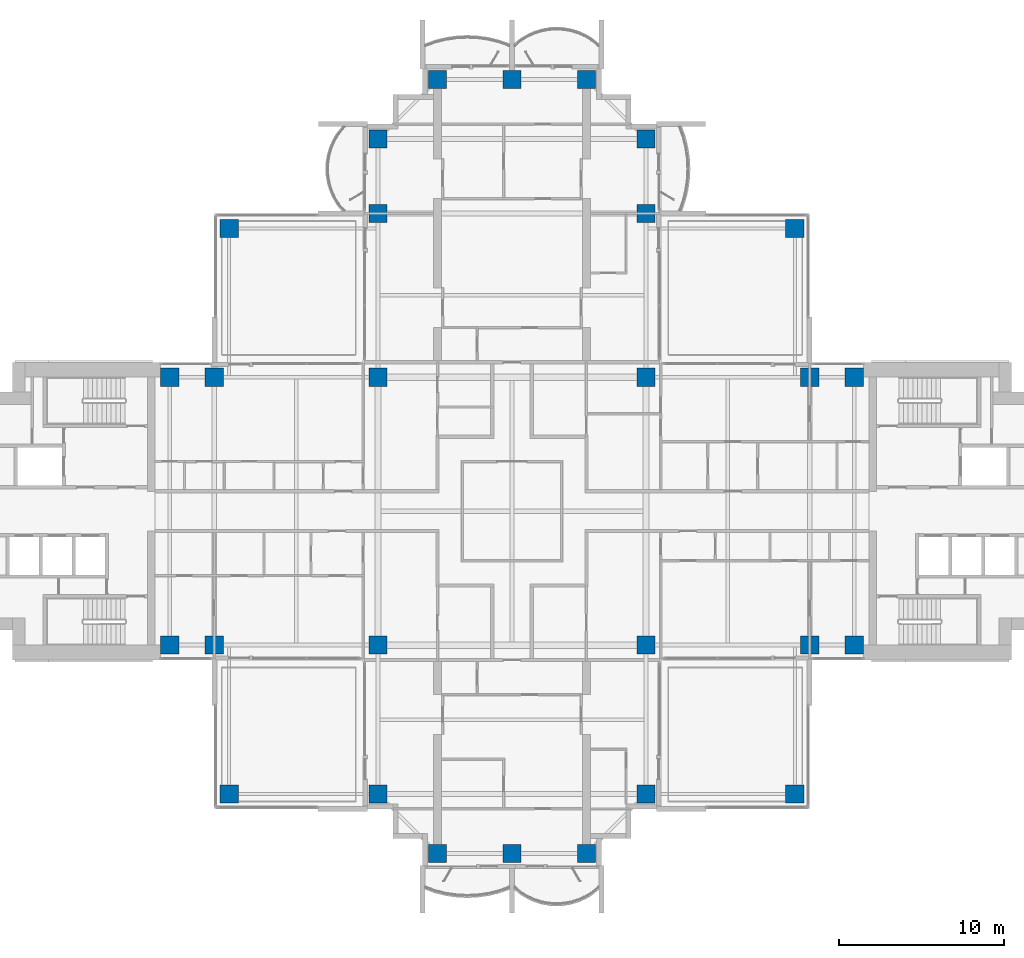
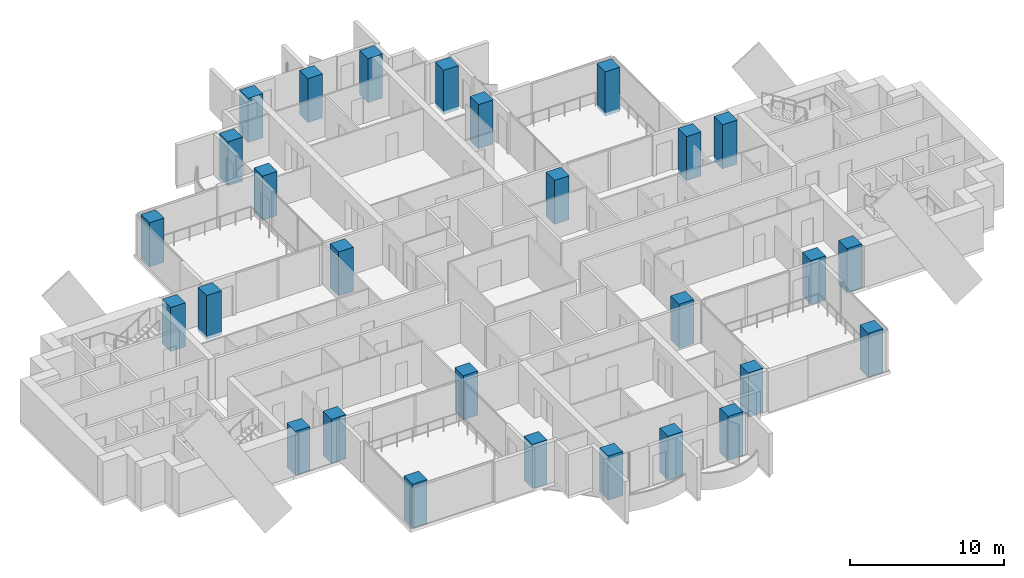
# One storey, part 1 of 19: 28 columns.
"""IFC4 building model written with IfcOpenShell, lengths in metres."""

from ifc_helpers import new_model, si_unit, direction, frame, origin, origin_2d, place, context, subcontext, project, spatial, rectangle, extrude, material, material_profile, profile_set, type_object, element, save


model = new_model("IFC4")

# Units and contexts
model_context = context("Model", 3, precision=1e-05, world=origin(), true_north=direction((0.0, 1.0)))
body_context = subcontext(model_context, "Body", "Model", "MODEL_VIEW")
ifc_project = project(units=[si_unit("LENGTHUNIT", "METRE"), si_unit("AREAUNIT", "SQUARE_METRE"), si_unit("VOLUMEUNIT", "CUBIC_METRE"), si_unit("PLANEANGLEUNIT", "RADIAN"), si_unit("MASSUNIT", "GRAM", prefix="KILO")], contexts=[model_context])

# Site, building, storey
site_placement = place(None, origin())
site = spatial("IfcSite", under=ifc_project, at=site_placement, CompositionType="ELEMENT")
building_placement = place(site_placement, origin())
building = spatial("IfcBuilding", under=site, at=building_placement, Name="Perihelion Cross Residences", CompositionType="ELEMENT")
storey_placement = place(building_placement, frame((0.0, 0.0, 126.89990234375)))
storey = spatial("IfcBuildingStorey", under=building, at=storey_placement, Name="L30", CompositionType="ELEMENT", Elevation=126.89990234375)

# Columns
ifc_material = material(Name="Concrete C60/75", Category="concrete")
ifc_material_profile = material_profile(ifc_material, rectangle(XDim=1.10009765625, YDim=1.10009765625, at=origin_2d()), Name="RC 1100x1100")
ifc_profile_set = profile_set([ifc_material_profile], Name="Concrete C60/75")
column_type = type_object("IfcColumnType", Name="Reinforced concrete column 1100x1100 C60/75", PredefinedType="COLUMN", material=ifc_profile_set)
for number, where, z_axis, x_axis, name in (
    (1, (-20.699951171875, -8.10009765625, -0.25), (0.0, 0.0, 1.0), (1.0, 0.0, 0.0), "Column C017 L30 no. 1"),
    (2, (-20.699951171875, 8.10009765625, -0.25), (0.0, 0.0, 1.0), (1.0, 0.0, 0.0), "Column C010 L30 no. 1"),
    (3, (-18.0, -8.10009765625, -0.25), (0.0, 0.0, 1.0), (1.0, 0.0, 0.0), "Column C018 L30 no. 1"),
    (4, (-18.0, 8.10009765625, -0.25), (0.0, 0.0, 1.0), (1.0, 0.0, 0.0), "Column C011 L30 no. 1"),
    (5, (-8.10009765625, -17.10009765625, -0.25), (0.0, 0.0, 1.0), (1.0, 0.0, 0.0), "Column C031 L30 no. 1"),
    (6, (-8.10009765625, -8.10009765625, -0.25), (0.0, 0.0, 1.0), (1.0, 0.0, 0.0), "Column C019 L30 no. 1"),
    (7, (-8.10009765625, 8.10009765625, -0.25), (0.0, 0.0, 1.0), (1.0, 0.0, 0.0), "Column C012 L30 no. 1"),
    (8, (-8.10009765625, 18.0, -0.25), (0.0, 0.0, 1.0), (1.0, 0.0, 0.0), "Column C006 L30 no. 1"),
    (9, (-8.10009765625, 22.5, -0.25), (0.0, 0.0, 1.0), (1.0, 0.0, 0.0), "Column C004 L30 no. 1"),
    (10, (-4.5, -20.699951171875, -0.25), (0.0, 0.0, 1.0), (1.0, 0.0, 0.0), "Column C037 L30 no. 1"),
    (11, (-4.5, 26.10009765625, -0.25), (0.0, 0.0, 1.0), (1.0, 0.0, 0.0), "Column C001 L30 no. 1"),
    (12, (0.0, -20.699951171875, -0.25), (0.0, 0.0, 1.0), (1.0, 0.0, 0.0), "Column C038 L30 no. 1"),
    (13, (0.0, 26.10009765625, -0.25), (0.0, 0.0, 1.0), (1.0, 0.0, 0.0), "Column C002 L30 no. 1"),
    (14, (4.5, -20.699951171875, -0.25), (0.0, 0.0, 1.0), (1.0, 0.0, 0.0), "Column C039 L30 no. 1"),
    (15, (4.5, 26.10009765625, -0.25), (0.0, 0.0, 1.0), (1.0, 0.0, 0.0), "Column C003 L30 no. 1"),
    (16, (8.10009765625, -17.10009765625, -0.25), (0.0, 0.0, 1.0), (1.0, 0.0, 0.0), "Column C035 L30 no. 1"),
    (17, (8.10009765625, -8.10009765625, -0.25), (0.0, 0.0, 1.0), (1.0, 0.0, 0.0), "Column C020 L30 no. 1"),
    (18, (8.10009765625, 8.10009765625, -0.25), (0.0, 0.0, 1.0), (1.0, 0.0, 0.0), "Column C014 L30 no. 1"),
    (19, (8.10009765625, 18.0, -0.25), (0.0, 0.0, 1.0), (1.0, 0.0, 0.0), "Column C007 L30 no. 1"),
    (20, (8.10009765625, 22.5, -0.25), (0.0, 0.0, 1.0), (1.0, 0.0, 0.0), "Column C005 L30 no. 1"),
    (21, (18.0, -8.10009765625, -0.25), (0.0, 0.0, 1.0), (1.0, 0.0, 0.0), "Column C021 L30 no. 1"),
    (22, (18.0, 8.10009765625, -0.25), (0.0, 0.0, 1.0), (1.0, 0.0, 0.0), "Column C015 L30 no. 1"),
    (23, (20.699951171875, -8.10009765625, -0.25), (0.0, 0.0, 1.0), (1.0, 0.0, 0.0), "Column C022 L30 no. 1"),
    (24, (20.699951171875, 8.10009765625, -0.25), (0.0, 0.0, 1.0), (1.0, 0.0, 0.0), "Column C016 L30 no. 1"),
    (25, (17.10009765625, 17.10009765625, -0.25), (0.0, 0.0, 1.0), (1.0, 0.0, 0.0), "Column C009 L30 no. 1"),
    (26, (-17.10009765625, 17.10009765625, -0.25), (0.0, 0.0, 1.0), (1.0, 0.0, 0.0), "Column C008 L30 no. 1"),
    (27, (-17.10009765625, -17.10009765625, -0.25), (0.0, 0.0, 1.0), (1.0, 0.0, 0.0), "Column C030 L30 no. 1"),
    (28, (17.10009765625, -17.10009765625, -0.25), (0.0, 0.0, 1.0), (1.0, 0.0, 0.0), "Column C036 L30 no. 1"),
):
    element("IfcColumn", number, at=place(storey_placement, frame(where, z_axis=z_axis, x_axis=x_axis)), inside=storey, type_object=column_type, Name=name, PredefinedType="COLUMN", context=body_context, shape_type="SweptSolid", body=[
        extrude(rectangle(XDim=1.10009765625, YDim=1.10009765625, at=origin_2d()), origin(), (0.0, 0.0, 1.0), 3.5),
    ])

save(model, "model.ifc")
